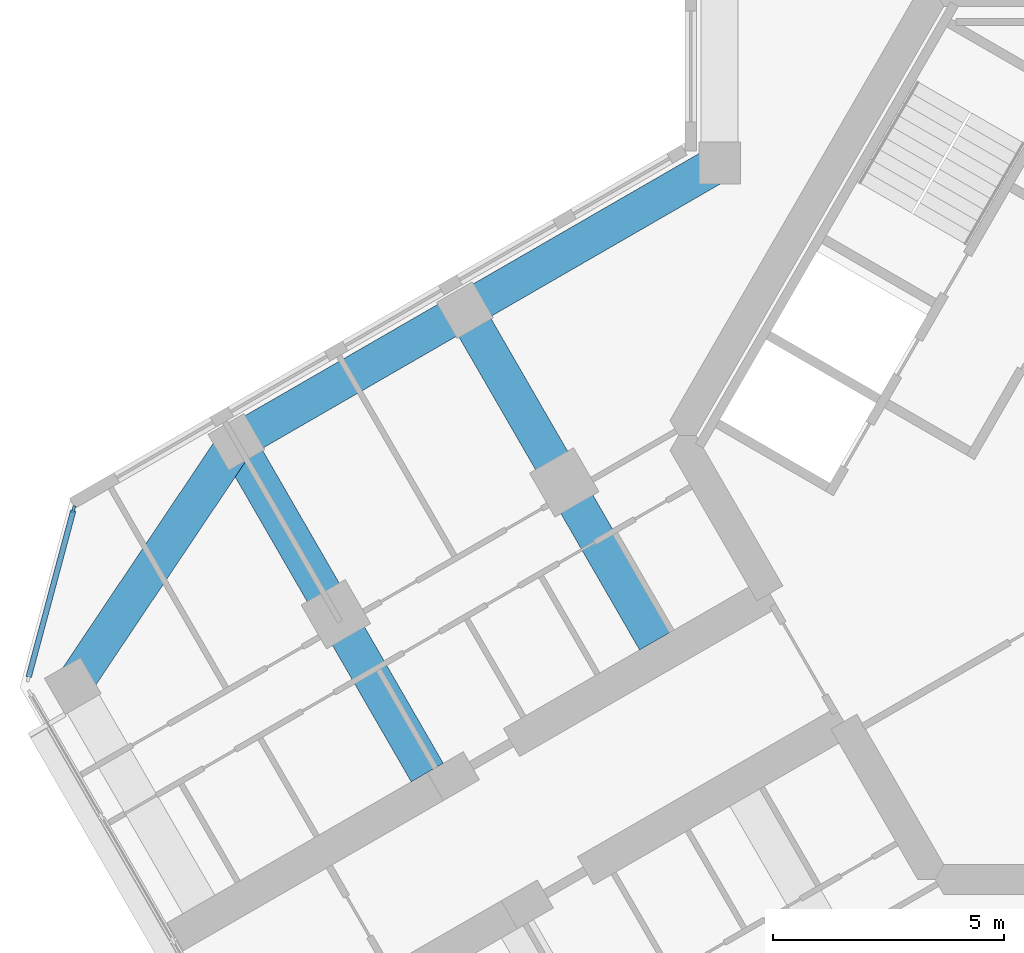
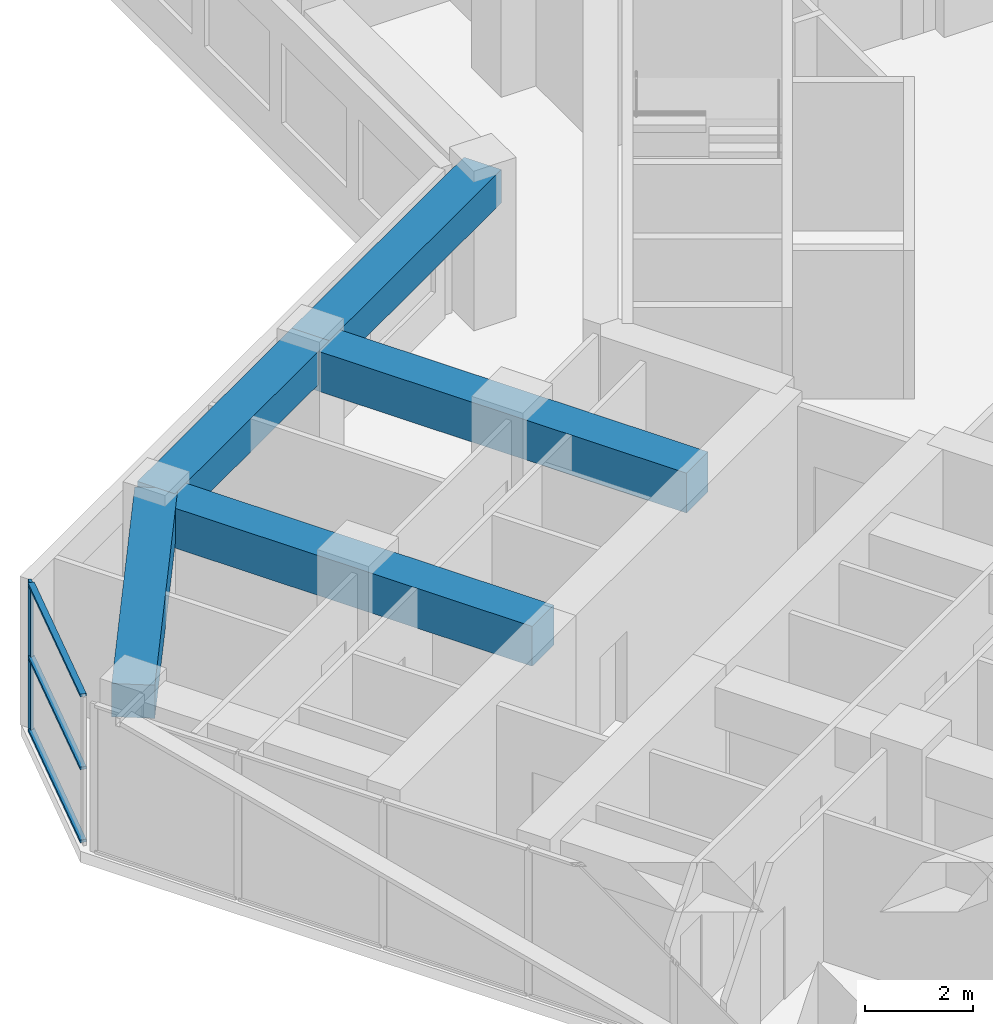
# One storey, part 3 of 16: 5 beams, 4 members, 1 element without a shape of its own.
"""IFC4 building model written with IfcOpenShell, lengths in metres."""

from ifc_helpers import new_model, si_unit, direction, frame, origin, origin_2d, place, context, subcontext, project, spatial, rectangle, extrude, material, material_profile, profile_set, type_object, element, aggregate, save


model = new_model("IFC4")

# Units and contexts
model_context = context("Model", 3, precision=1e-05, world=origin(), true_north=direction((0.0, 1.0)))
body_context = subcontext(model_context, "Body", "Model", "MODEL_VIEW")
ifc_project = project(units=[si_unit("LENGTHUNIT", "METRE"), si_unit("AREAUNIT", "SQUARE_METRE"), si_unit("VOLUMEUNIT", "CUBIC_METRE"), si_unit("PLANEANGLEUNIT", "RADIAN"), si_unit("MASSUNIT", "GRAM", prefix="KILO")], contexts=[model_context])

# Site, building, storey
site_placement = place(None, origin())
site = spatial("IfcSite", under=ifc_project, at=site_placement, CompositionType="ELEMENT")
building_placement = place(site_placement, origin())
building = spatial("IfcBuilding", under=site, at=building_placement, Name="Kosmar Iwan School Tower", CompositionType="ELEMENT")
storey_placement = place(building_placement, frame((0.0, 0.0, 211.800048828125)))
storey = spatial("IfcBuildingStorey", under=building, at=storey_placement, Name="L53", CompositionType="ELEMENT", Elevation=211.800048828125)

# Curtain wall, member
ifc_material_1 = material(Name="Dark glass in black aluminium frame", Category="aluminium")
curtain_wall_type = type_object("IfcCurtainWallType", Name="Chamfer curtain wall dark glass", PredefinedType="USERDEFINED", material=ifc_material_1)
curtain_wall_placement = place(storey_placement, origin())
curtain_wall = element("IfcCurtainWall", 1, at=curtain_wall_placement, inside=storey, type_object=curtain_wall_type, Name="Curtain wall L53-F10", ObjectType="FACETED CURTAIN WALL", PredefinedType="USERDEFINED")
ifc_material_2 = material(Name="Black anodised aluminium", Category="aluminium")
ifc_material_profile_1 = material_profile(ifc_material_2, rectangle(XDim=0.06005859375, YDim=0.159912109375, at=origin_2d()), Name="MULLION 60x160")
ifc_profile_set_1 = profile_set([ifc_material_profile_1], Name="Black anodised aluminium")
member_type_1 = type_object("IfcMemberType", Name="Mullion 60x160", PredefinedType="MULLION", material=ifc_profile_set_1)
member_1_placement = place(storey_placement, frame((-24.163818359375, -1.59814453125, 0.0), z_axis=(0.0, 0.0, 1.0), x_axis=(0.965925875495, -0.258818861462, 0.0)))
member_1 = element("IfcMember", 2, at=member_1_placement, type_object=member_type_1, Name="CW2 mullion 1", PredefinedType="MULLION", context=body_context, shape_type="SweptSolid", body=[
    extrude(rectangle(XDim=0.06005859375, YDim=0.159912109375, at=origin_2d()), origin(), (0.0, 0.0, 1.0), 3.349853515625),
])

# Beams
ifc_material_3 = material(Name="Concrete C50/60", Category="concrete")
ifc_material_profile_2 = material_profile(ifc_material_3, rectangle(XDim=0.800048828125, YDim=0.75, at=origin_2d()), Name="RC 800x750")
ifc_profile_set_2 = profile_set([ifc_material_profile_2], Name="Concrete C50/60")
beam_type_1 = type_object("IfcBeamType", Name="RC edge beam 800x750", PredefinedType="BEAM", material=ifc_profile_set_2)
beam_1_placement = place(storey_placement, frame((-10.199951171875, 5.888916015625, 2.974853515625), z_axis=(-0.866030912664, -0.49999045822, 0.0), x_axis=(0.49999045822, -0.866030912664, 0.0)))
element("IfcBeam", 3, at=beam_1_placement, inside=storey, type_object=beam_type_1, Name="Edge beam BR1", PredefinedType="BEAM", context=body_context, shape_type="SweptSolid", body=[
    extrude(rectangle(XDim=0.800048828125, YDim=0.75, at=origin_2d()), origin(), (0.0, 0.0, 1.0), 6.36083984375),
])
beam_2_placement = place(storey_placement, frame((-15.708740234375, 2.70849609375, 2.974853515625), z_axis=(-0.866025820012, -0.499999279071, 0.0), x_axis=(0.499999279071, -0.866025820012, 0.0)))
element("IfcBeam", 4, at=beam_2_placement, inside=storey, type_object=beam_type_1, Name="Edge beam BR2", PredefinedType="BEAM", context=body_context, shape_type="SweptSolid", body=[
    extrude(rectangle(XDim=0.800048828125, YDim=0.75, at=origin_2d()), origin(), (0.0, 0.0, 1.0), 5.7001953125),
])
ifc_material_4 = material(Name="Concrete C50/60", Category="concrete")
ifc_material_profile_3 = material_profile(ifc_material_4, rectangle(XDim=0.800048828125, YDim=0.75, at=origin_2d()), Name="RC 800x750")
ifc_profile_set_3 = profile_set([ifc_material_profile_3], Name="Concrete C50/60")
beam_type_2 = type_object("IfcBeamType", Name="RC tip beam 800x750", PredefinedType="BEAM", material=ifc_profile_set_3)
beam_3_placement = place(storey_placement, frame((-20.645263671875, -0.1416015625, 2.974853515625), z_axis=(-0.556827604145, -0.83062808721, 0.0), x_axis=(0.83062808721, -0.556827604145, 0.0)))
element("IfcBeam", 5, at=beam_3_placement, inside=storey, type_object=beam_type_2, Name="Tip beam BR", PredefinedType="BEAM", context=body_context, shape_type="SweptSolid", body=[
    extrude(rectangle(XDim=0.800048828125, YDim=0.75, at=origin_2d()), origin(), (0.0, 0.0, 1.0), 6.3505859375),
])
ifc_material_5 = material(Name="Concrete C50/60", Category="concrete")
ifc_material_profile_4 = material_profile(ifc_material_5, rectangle(XDim=0.800048828125, YDim=0.89990234375, at=origin_2d()), Name="RC 800x900")
ifc_profile_set_4 = profile_set([ifc_material_profile_4], Name="Concrete C50/60")
beam_type_3 = type_object("IfcBeamType", Name="RC transverse beam 800x900", PredefinedType="BEAM", material=ifc_profile_set_4)
beam_4_placement = place(storey_placement, frame((-15.708740234375, 2.70849609375, 2.89990234375), z_axis=(0.499996545922, -0.866027397988, 0.0), x_axis=(0.866027397988, 0.499996545922, 0.0)))
element("IfcBeam", 6, at=beam_4_placement, inside=storey, type_object=beam_type_3, Name="Transverse beam BR1", PredefinedType="BEAM", context=body_context, shape_type="SweptSolid", body=[
    extrude(rectangle(XDim=0.800048828125, YDim=0.89990234375, at=origin_2d()), origin(), (0.0, 0.0, 1.0), 8.25),
])
beam_5_placement = place(storey_placement, frame((-20.645263671875, -0.1416015625, 2.89990234375), z_axis=(0.500009360108, -0.866019999656, 0.0), x_axis=(0.866019999656, 0.500009360108, 0.0)))
element("IfcBeam", 7, at=beam_5_placement, inside=storey, type_object=beam_type_3, Name="Transverse beam BR2", PredefinedType="BEAM", context=body_context, shape_type="SweptSolid", body=[
    extrude(rectangle(XDim=0.800048828125, YDim=0.89990234375, at=origin_2d()), origin(), (0.0, 0.0, 1.0), 8.249755859375),
])

# Member
ifc_material_6 = material(Name="Black anodised aluminium", Category="aluminium")
ifc_material_profile_5 = material_profile(ifc_material_6, rectangle(XDim=0.1201171875, YDim=0.06005859375, at=origin_2d()), Name="TRANSOM 60x120")
ifc_profile_set_5 = profile_set([ifc_material_profile_5], Name="Black anodised aluminium")
member_type_2 = type_object("IfcMemberType", Name="Transom 60x120", PredefinedType="USERDEFINED", material=ifc_profile_set_5)
member_2_placement = place(storey_placement, frame((-24.17138671875, -1.627197265625, 0.030029296875), z_axis=(-0.258843273983, -0.965919333854, 0.0), x_axis=(0.965919333854, -0.258843273983, 0.0)))
member_2 = element("IfcMember", 8, at=member_2_placement, type_object=member_type_2, Name="CW2 transom 1.1", ObjectType="TRANSOM", PredefinedType="USERDEFINED", context=body_context, shape_type="SweptSolid", body=[
    extrude(rectangle(XDim=0.1201171875, YDim=0.06005859375, at=origin_2d()), origin(), (0.0, 0.0, 1.0), 3.718994140625),
])

member_3_placement = place(storey_placement, frame((-24.17138671875, -1.627197265625, 1.675048828125), z_axis=(-0.258843273983, -0.965919333854, 0.0), x_axis=(0.965919333854, -0.258843273983, 0.0)))
member_3 = element("IfcMember", 9, at=member_3_placement, type_object=member_type_2, Name="CW2 transom 1.2", ObjectType="TRANSOM", PredefinedType="USERDEFINED", context=body_context, shape_type="SweptSolid", body=[
    extrude(rectangle(XDim=0.1201171875, YDim=0.06005859375, at=origin_2d()), origin(), (0.0, 0.0, 1.0), 3.718994140625),
])

member_4_placement = place(storey_placement, frame((-24.17138671875, -1.627197265625, 3.320068359375), z_axis=(-0.258843273983, -0.965919333854, 0.0), x_axis=(0.965919333854, -0.258843273983, 0.0)))
member_4 = element("IfcMember", 10, at=member_4_placement, type_object=member_type_2, Name="CW2 transom 1.3", ObjectType="TRANSOM", PredefinedType="USERDEFINED", context=body_context, shape_type="SweptSolid", body=[
    extrude(rectangle(XDim=0.1201171875, YDim=0.06005859375, at=origin_2d()), origin(), (0.0, 0.0, 1.0), 3.718994140625),
])

aggregate(curtain_wall, [member_1, member_2, member_3, member_4])

save(model, "model.ifc")
